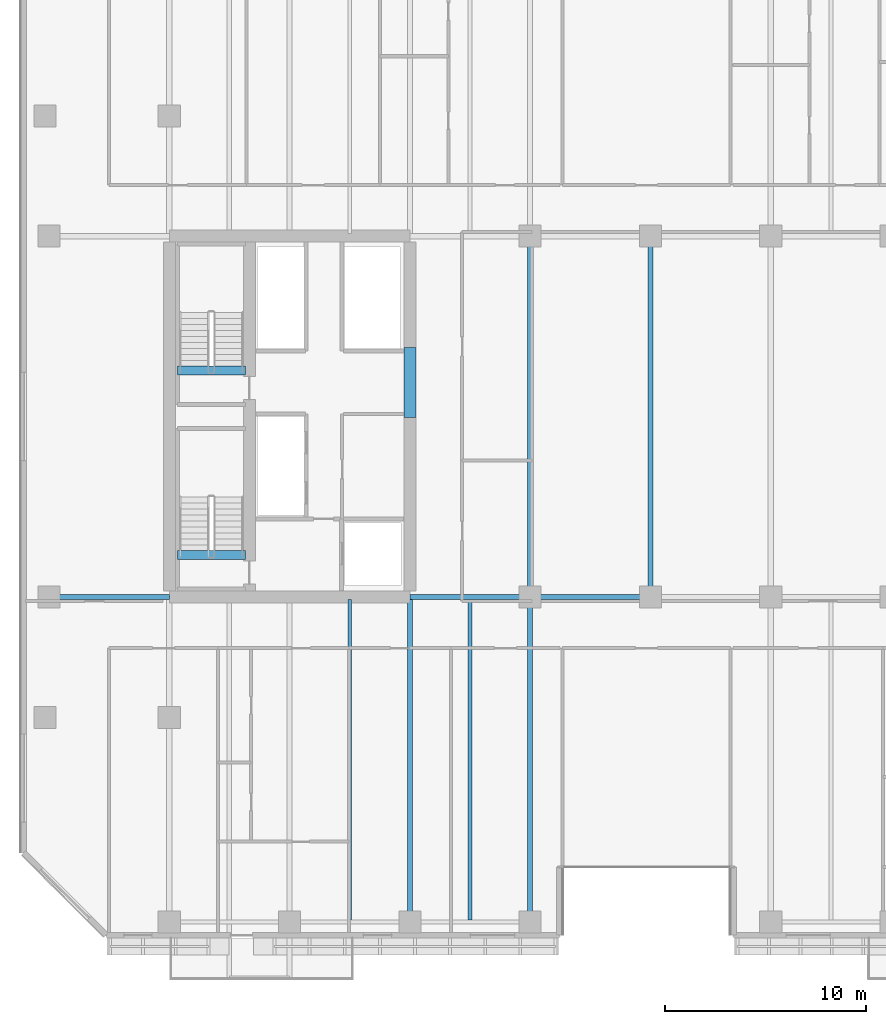
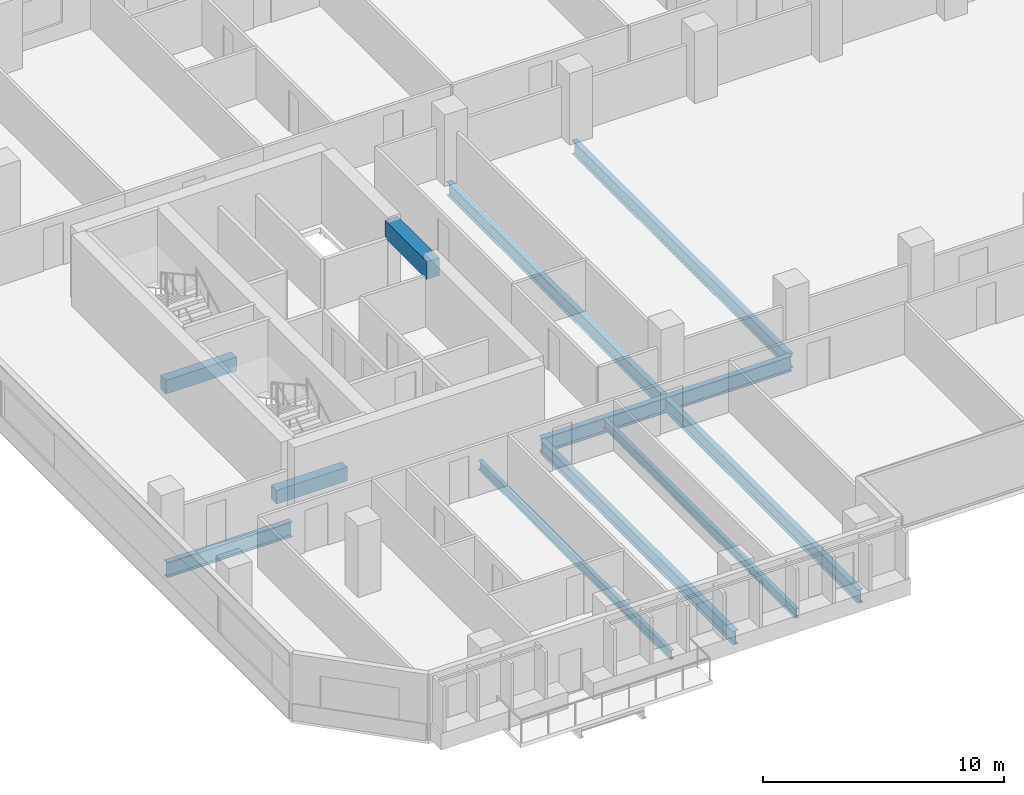
# One storey, part 3 of 25: 12 beams.
"""IFC4 building model written with IfcOpenShell, lengths in metres."""

from ifc_helpers import new_model, si_unit, direction, frame, origin, origin_2d, place, context, subcontext, project, spatial, rectangle, i_section, extrude, material, material_profile, profile_set, type_object, element, save


model = new_model("IFC4")

# Units and contexts
model_context = context("Model", 3, precision=1e-05, world=origin(), true_north=direction((0.0, 1.0)))
body_context = subcontext(model_context, "Body", "Model", "MODEL_VIEW")
ifc_project = project(units=[si_unit("LENGTHUNIT", "METRE"), si_unit("AREAUNIT", "SQUARE_METRE"), si_unit("VOLUMEUNIT", "CUBIC_METRE"), si_unit("PLANEANGLEUNIT", "RADIAN"), si_unit("MASSUNIT", "GRAM", prefix="KILO")], contexts=[model_context])

# Site, building, storey
site_placement = place(None, origin())
site = spatial("IfcSite", under=ifc_project, at=site_placement, CompositionType="ELEMENT")
building_placement = place(site_placement, origin())
building = spatial("IfcBuilding", under=site, at=building_placement, Name="Tanjung Sevakor Pilgrim Tower", CompositionType="ELEMENT")
storey_placement = place(building_placement, frame((0.0, 0.0, 69.6298828125)))
storey = spatial("IfcBuildingStorey", under=building, at=storey_placement, Name="L19", CompositionType="ELEMENT", Elevation=69.6298828125)

# Beams
ifc_material_1 = material(Name="Steel S355J2", Category="steel")
ifc_material_profile_1 = material_profile(ifc_material_1, i_section(OverallWidth=0.26806640625, OverallDepth=0.769775390625, WebThickness=0.015625, FlangeThickness=0.025390625, FilletRadius=0.0166015625, at=origin_2d()))
ifc_profile_set_1 = profile_set([ifc_material_profile_1], Name="Steel S355J2")
beam_type_1 = type_object("IfcBeamType", Name="BM-B-G1-UB_762x267x197", PredefinedType="BEAM", material=ifc_profile_set_1)
for number, where, z_axis, x_axis, name in (
    (1, (18.0, 24.60009765625, -0.604736328125), (1.0, 0.0, 0.0), (0.0, 1.0, 0.0), "L19 Primary Floor Girder MAIN Y246-01"),
    (2, (36.0, 24.60009765625, -0.604736328125), (1.0, 0.0, 0.0), (0.0, 1.0, 0.0), "L19 Primary Floor Girder MAIN Y246-02"),
    (3, (42.0, 24.60009765625, -0.604736328125), (1.0, 0.0, 0.0), (0.0, 1.0, 0.0), "L19 Primary Floor Girder MAIN Y246-03"),
):
    element("IfcBeam", number, at=place(storey_placement, frame(where, z_axis=z_axis, x_axis=x_axis)), inside=storey, type_object=beam_type_1, Name=name, PredefinedType="BEAM", context=body_context, shape_type="SweptSolid", body=[
        extrude(i_section(OverallWidth=0.26806640625, OverallDepth=0.769775390625, WebThickness=0.015625, FlangeThickness=0.025390625, FilletRadius=0.0166015625, at=origin_2d()), origin(), (0.0, 0.0, 1.0), 6.0),
    ])
ifc_material_2 = material(Name="Steel S355J2", Category="steel")
ifc_material_profile_2 = material_profile(ifc_material_2, i_section(OverallWidth=0.25439453125, OverallDepth=0.6875, WebThickness=0.01318359375, FlangeThickness=0.02099609375, FilletRadius=0.01513671875, at=origin_2d()))
ifc_profile_set_2 = profile_set([ifc_material_profile_2], Name="Steel S355J2")
beam_type_2 = type_object("IfcBeamType", Name="BM-B-G2-UB_686x254x152", PredefinedType="BEAM", material=ifc_profile_set_2)
beam_1_placement = place(storey_placement, frame((36.0, 8.39990234375, -0.563720703125), z_axis=(0.0, 1.0, 0.0), x_axis=(-1.0, 0.0, 0.0)))
element("IfcBeam", 4, at=beam_1_placement, inside=storey, type_object=beam_type_2, Name="L19 MAIN Girder 005", PredefinedType="BEAM", context=body_context, shape_type="SweptSolid", body=[
    extrude(i_section(OverallWidth=0.25439453125, OverallDepth=0.6875, WebThickness=0.01318359375, FlangeThickness=0.02099609375, FilletRadius=0.01513671875, at=origin_2d()), origin(), (0.0, 0.0, 1.0), 16.066162109375),
])
beam_2_placement = place(storey_placement, frame((42.0, 8.39990234375, -0.563720703125), z_axis=(0.0, 1.0, 0.0), x_axis=(-1.0, 0.0, 0.0)))
element("IfcBeam", 5, at=beam_2_placement, inside=storey, type_object=beam_type_2, Name="L19 MAIN Girder 009", PredefinedType="BEAM", context=body_context, shape_type="SweptSolid", body=[
    extrude(i_section(OverallWidth=0.25439453125, OverallDepth=0.6875, WebThickness=0.01318359375, FlangeThickness=0.02099609375, FilletRadius=0.01513671875, at=origin_2d()), origin(), (0.0, 0.0, 1.0), 16.2001953125),
])
for number, where, z_axis, x_axis, name in (
    (6, (42.0, 24.60009765625, -0.563720703125), (0.0, 1.0, 0.0), (-1.0, 0.0, 0.0), "L19 MAIN Girder 010"),
    (7, (48.0, 24.60009765625, -0.563720703125), (0.0, 1.0, 0.0), (-1.0, 0.0, 0.0), "L19 MAIN Girder 012"),
):
    element("IfcBeam", number, at=place(storey_placement, frame(where, z_axis=z_axis, x_axis=x_axis)), inside=storey, type_object=beam_type_2, Name=name, PredefinedType="BEAM", context=body_context, shape_type="SweptSolid", body=[
        extrude(i_section(OverallWidth=0.25439453125, OverallDepth=0.6875, WebThickness=0.01318359375, FlangeThickness=0.02099609375, FilletRadius=0.01513671875, at=origin_2d()), origin(), (0.0, 0.0, 1.0), 18.0),
    ])
ifc_material_3 = material(Name="Steel S355J2", Category="steel")
ifc_material_profile_3 = material_profile(ifc_material_3, i_section(OverallWidth=0.19140625, OverallDepth=0.4599609375, WebThickness=0.010009765625, FlangeThickness=0.01611328125, FilletRadius=0.01025390625, at=origin_2d()))
ifc_profile_set_3 = profile_set([ifc_material_profile_3], Name="Steel S355J2")
beam_type_3 = type_object("IfcBeamType", Name="BM-B-J2-UB_457x191x82", PredefinedType="JOIST", material=ifc_profile_set_3)
for number, where, z_axis, x_axis, name in (
    (8, (33.0, 8.5, -0.449951171875), (0.0, 1.0, 0.0), (-1.0, 0.0, 0.0), "L19 MAIN Joist 003"),
    (9, (39.0, 8.5, -0.449951171875), (0.0, 1.0, 0.0), (-1.0, 0.0, 0.0), "L19 MAIN Joist 007"),
):
    element("IfcBeam", number, at=place(storey_placement, frame(where, z_axis=z_axis, x_axis=x_axis)), inside=storey, type_object=beam_type_3, Name=name, PredefinedType="JOIST", context=body_context, shape_type="SweptSolid", body=[
        extrude(i_section(OverallWidth=0.19140625, OverallDepth=0.4599609375, WebThickness=0.010009765625, FlangeThickness=0.01611328125, FilletRadius=0.01025390625, at=origin_2d()), origin(), (0.0, 0.0, 1.0), 15.966064453125),
    ])
ifc_material_4 = material(Name="Concrete C60/75", Category="concrete")
ifc_material_profile_4 = material_profile(ifc_material_4, rectangle(XDim=0.60009765625, YDim=0.89990234375, at=origin_2d()))
ifc_profile_set_4 = profile_set([ifc_material_profile_4], Name="Concrete C60/75")
beam_type_4 = type_object("IfcBeamType", Name="BM-B-LN1-RC-BM_600x900", PredefinedType="LINTEL", material=ifc_profile_set_4)
beam_3_placement = place(storey_placement, frame((36.0, 33.550048828125, 2.900146484375), z_axis=(0.0, 1.0, 0.0), x_axis=(-1.0, 0.0, 0.0)))
element("IfcBeam", 10, at=beam_3_placement, inside=storey, type_object=beam_type_4, Name="L19 W Core Coupling Lintel", PredefinedType="LINTEL", context=body_context, shape_type="SweptSolid", body=[
    extrude(rectangle(XDim=0.60009765625, YDim=0.89990234375, at=origin_2d()), origin(), (0.0, 0.0, 1.0), 3.5),
])
ifc_material_5 = material(Name="Concrete C60/75", Category="concrete")
ifc_material_profile_5 = material_profile(ifc_material_5, rectangle(XDim=0.449951171875, YDim=0.699951171875, at=origin_2d()))
ifc_profile_set_5 = profile_set([ifc_material_profile_5], Name="Concrete C60/75")
beam_type_5 = type_object("IfcBeamType", Name="BM-B-LN3-RC-BM_450x700", PredefinedType="LINTEL", material=ifc_profile_set_5)
for number, where, z_axis, x_axis, name in (
    (11, (24.39990234375, 26.699951171875, -0.349853515625), (1.0, 0.0, 0.0), (0.0, 1.0, 0.0), "L19 TS-W1 Stair Threshold Beam"),
    (12, (24.39990234375, 35.89990234375, -0.349853515625), (1.0, 0.0, 0.0), (0.0, 1.0, 0.0), "L19 TS-W2 Stair Threshold Beam"),
):
    element("IfcBeam", number, at=place(storey_placement, frame(where, z_axis=z_axis, x_axis=x_axis)), inside=storey, type_object=beam_type_5, Name=name, PredefinedType="LINTEL", context=body_context, shape_type="SweptSolid", body=[
        extrude(rectangle(XDim=0.449951171875, YDim=0.699951171875, at=origin_2d()), origin(), (0.0, 0.0, 1.0), 3.400146484375),
    ])

save(model, "model.ifc")
